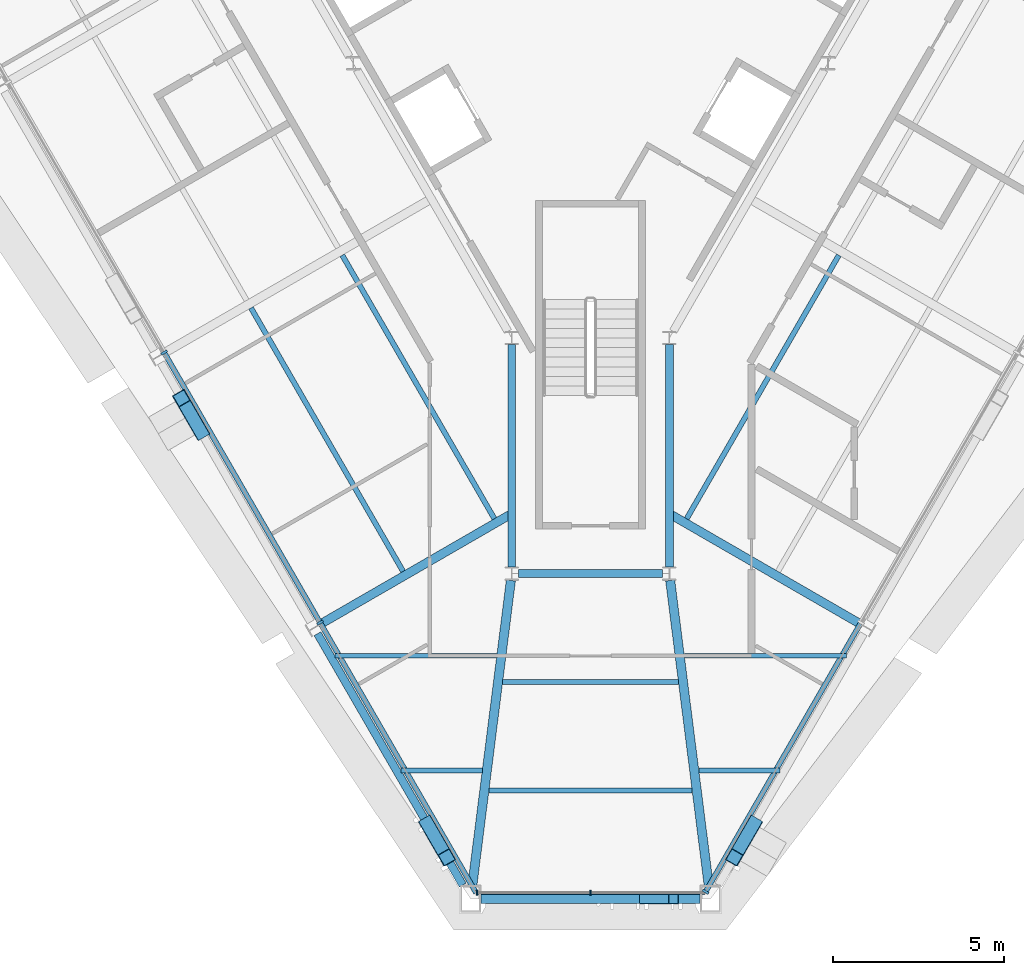
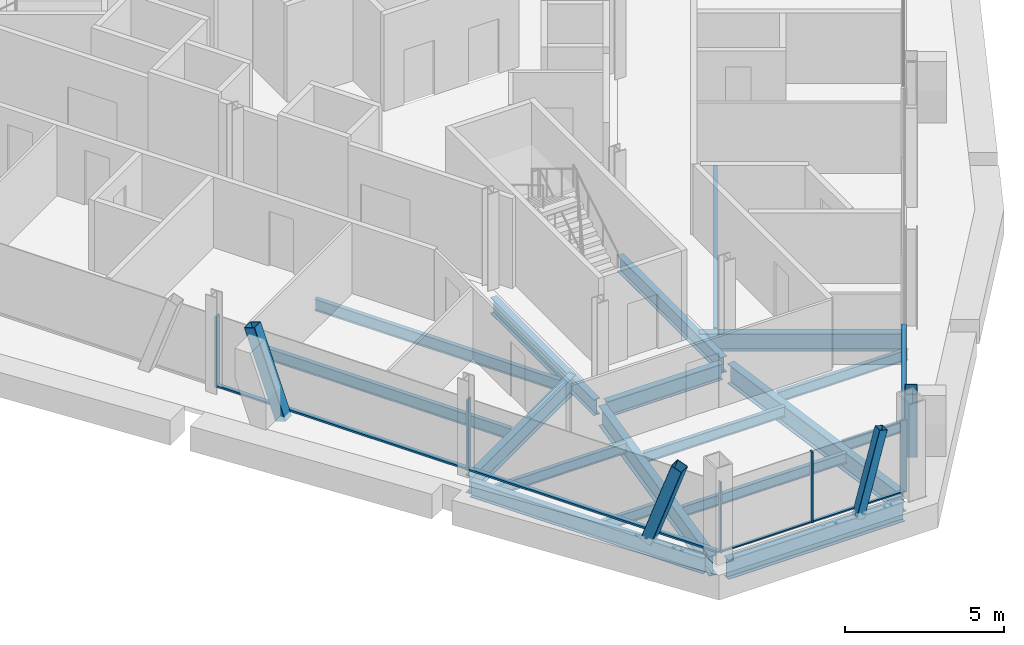
# One storey, part 3 of 15: 18 beams, 14 members, 3 elements without a shape of their own.
"""IFC4 building model written with IfcOpenShell, lengths in metres."""

from ifc_helpers import new_model, si_unit, direction, frame, origin, origin_2d, place, context, subcontext, project, spatial, rectangle, hollow_rectangle, i_section, extrude, material, material_profile, profile_set, type_object, element, aggregate, save


model = new_model("IFC4")

# Units and contexts
model_context = context("Model", 3, precision=1e-05, world=origin(), true_north=direction((0.0, 1.0)))
body_context = subcontext(model_context, "Body", "Model", "MODEL_VIEW")
ifc_project = project(units=[si_unit("LENGTHUNIT", "METRE"), si_unit("AREAUNIT", "SQUARE_METRE"), si_unit("VOLUMEUNIT", "CUBIC_METRE"), si_unit("PLANEANGLEUNIT", "RADIAN"), si_unit("MASSUNIT", "GRAM", prefix="KILO")], contexts=[model_context])

# Site, building, storey
site_placement = place(None, origin())
site = spatial("IfcSite", under=ifc_project, at=site_placement, CompositionType="ELEMENT")
building_placement = place(site_placement, origin())
building = spatial("IfcBuilding", under=site, at=building_placement, Name="Verrane Prism Tower", CompositionType="ELEMENT")
storey_placement = place(building_placement, frame((0.0, 0.0, 250.800048828125)))
storey = spatial("IfcBuildingStorey", under=building, at=storey_placement, Name="L63", CompositionType="ELEMENT", Elevation=250.800048828125)

# Member
ifc_material_1 = material(Name="Steel A500 Grade C", Category="steel")
ifc_material_profile_1 = material_profile(ifc_material_1, hollow_rectangle(XDim=0.3046875, YDim=0.3046875, WallThickness=0.0126953125, InnerFilletRadius=0.00634765625, OuterFilletRadius=0.01904296875, at=origin_2d()), Name="HSS12x12x1/2")
ifc_profile_set_1 = profile_set([ifc_material_profile_1], Name="Steel A500 Grade C")
member_type_1 = type_object("IfcMemberType", Name="Chamfer brace HSS12x12x1/2", PredefinedType="BRACE", material=ifc_profile_set_1)
member_1_placement = place(storey_placement, frame((1.580078125, -28.389892578125, -0.24267578125), z_axis=(0.26085172708, 0.0, 0.965378877167), x_axis=(0.0, 1.0, 0.0)))
element("IfcMember", 1, at=member_1_placement, inside=storey, type_object=member_type_1, Name="Chamfer brace S0 L63", PredefinedType="BRACE", context=body_context, shape_type="SweptSolid", body=[
    extrude(hollow_rectangle(XDim=0.3046875, YDim=0.3046875, WallThickness=0.0126953125, InnerFilletRadius=0.00634765625, OuterFilletRadius=0.01904296875, at=origin_2d()), origin(), (0.0, 0.0, 1.0), 3.2197265625),
])

# Beams
ifc_material_2 = material(Name="Steel A992", Category="steel")
ifc_material_profile_2 = material_profile(ifc_material_2, i_section(OverallWidth=0.2666015625, OverallDepth=0.7568359375, WebThickness=0.013916015625, FlangeThickness=0.019287109375, FilletRadius=0.0166015625, at=origin_2d()), Name="W30x108")
ifc_profile_set_2 = profile_set([ifc_material_profile_2], Name="Steel A992")
beam_type_1 = type_object("IfcBeamType", Name="Chamfer spandrel beam W30x108", PredefinedType="SPANDREL", material=ifc_profile_set_2)
beam_1_placement = place(storey_placement, frame((-3.199951171875, -28.389892578125, -0.53857421875), z_axis=(1.0, 0.0, 0.0), x_axis=(0.0, 1.0, 0.0)))
element("IfcBeam", 2, at=beam_1_placement, inside=storey, type_object=beam_type_1, Name="Chamfer spandrel beam L63", PredefinedType="SPANDREL", context=body_context, shape_type="SweptSolid", body=[
    extrude(i_section(OverallWidth=0.2666015625, OverallDepth=0.7568359375, WebThickness=0.013916015625, FlangeThickness=0.019287109375, FilletRadius=0.0166015625, at=origin_2d()), origin(), (0.0, 0.0, 1.0), 6.39990234375),
])
ifc_material_3 = material(Name="Steel A992", Category="steel")
ifc_material_profile_3 = material_profile(ifc_material_3, i_section(OverallWidth=0.23046875, OverallDepth=0.6171875, WebThickness=0.01318359375, FlangeThickness=0.022216796875, FilletRadius=0.012939453125, at=origin_2d()), Name="W24x94")
ifc_profile_set_3 = profile_set([ifc_material_profile_3], Name="Steel A992")
beam_type_2 = type_object("IfcBeamType", Name="Core ring girder W24x94", PredefinedType="BEAM", material=ifc_profile_set_3)
beam_2_placement = place(storey_placement, frame((-2.300048828125, -12.212890625, -0.55859375), z_axis=(0.0, -1.0, 0.0), x_axis=(1.0, 0.0, 0.0)))
element("IfcBeam", 3, at=beam_2_placement, inside=storey, type_object=beam_type_2, Name="Core ring girder L63", PredefinedType="BEAM", context=body_context, shape_type="SweptSolid", body=[
    extrude(i_section(OverallWidth=0.23046875, OverallDepth=0.6171875, WebThickness=0.01318359375, FlangeThickness=0.022216796875, FilletRadius=0.012939453125, at=origin_2d()), origin(), (0.0, 0.0, 1.0), 6.48779296875),
])
beam_3_placement = place(storey_placement, frame((-2.099365234375, -18.89990234375, -0.55859375), z_axis=(1.0, 0.0, 0.0), x_axis=(0.0, 1.0, 0.0)))
element("IfcBeam", 4, at=beam_3_placement, inside=storey, type_object=beam_type_2, Name="Core ring girder L63", PredefinedType="BEAM", context=body_context, shape_type="SweptSolid", body=[
    extrude(i_section(OverallWidth=0.23046875, OverallDepth=0.6171875, WebThickness=0.01318359375, FlangeThickness=0.022216796875, FilletRadius=0.012939453125, at=origin_2d()), origin(), (0.0, 0.0, 1.0), 4.19873046875),
])
beam_4_placement = place(storey_placement, frame((2.300048828125, -18.70068359375, -0.55859375), z_axis=(0.0, 1.0, 0.0), x_axis=(-1.0, 0.0, 0.0)))
element("IfcBeam", 5, at=beam_4_placement, inside=storey, type_object=beam_type_2, Name="Core ring girder L63", PredefinedType="BEAM", context=body_context, shape_type="SweptSolid", body=[
    extrude(i_section(OverallWidth=0.23046875, OverallDepth=0.6171875, WebThickness=0.01318359375, FlangeThickness=0.022216796875, FilletRadius=0.012939453125, at=origin_2d()), origin(), (0.0, 0.0, 1.0), 6.48779296875),
])
ifc_material_4 = material(Name="Steel A992", Category="steel")
ifc_material_profile_4 = material_profile(ifc_material_4, i_section(OverallWidth=0.2666015625, OverallDepth=0.76708984375, WebThickness=0.014892578125, FlangeThickness=0.023681640625, FilletRadius=0.0166015625, at=origin_2d()), Name="W30x124")
ifc_profile_set_4 = profile_set([ifc_material_profile_4], Name="Steel A992")
beam_type_3 = type_object("IfcBeamType", Name="Corner girder W30x124", PredefinedType="BEAM", material=ifc_profile_set_4)
for number, where, z_axis, x_axis, name in (
    (6, (-3.449462890625, -27.989990234375, -0.603515625), (0.125456298636, 0.992099146826, 0.0), (-0.992099146826, 0.125456298636, 0.0), "Corner girder L63"),
    (7, (3.449462890625, -27.989990234375, -0.603515625), (-0.125456298636, 0.992099146826, 0.0), (-0.992099146826, -0.125456298636, 0.0), "Corner girder L63"),
):
    element("IfcBeam", number, at=place(storey_placement, frame(where, z_axis=z_axis, x_axis=x_axis)), inside=storey, type_object=beam_type_3, Name=name, PredefinedType="BEAM", context=body_context, shape_type="SweptSolid", body=[
        extrude(i_section(OverallWidth=0.2666015625, OverallDepth=0.76708984375, WebThickness=0.014892578125, FlangeThickness=0.023681640625, FilletRadius=0.0166015625, at=origin_2d()), origin(), (0.0, 0.0, 1.0), 8.96142578125),
    ])

# Members
ifc_material_5 = material(Name="Steel A500 Grade C", Category="steel")
ifc_material_profile_5 = material_profile(ifc_material_5, hollow_rectangle(XDim=0.406494140625, YDim=0.406494140625, WallThickness=0.01904296875, InnerFilletRadius=0.009521484375, OuterFilletRadius=0.028564453125, at=origin_2d()), Name="HSS16x16x3/4")
ifc_profile_set_5 = profile_set([ifc_material_profile_5], Name="Steel A500 Grade C")
member_type_2 = type_object("IfcMemberType", Name="Facade brace HSS16x16x3/4", PredefinedType="BRACE", material=ifc_profile_set_5)
for number, where, z_axis, x_axis, name in (
    (8, (-11.378662109375, -14.753173828125, -0.216796875), (-0.16639448811, 0.288056951494, 0.943046163781), (-0.865915093549, -0.500191014278, 0.0), "Facade brace SW3 L63"),
    (9, (-4.76123046875, -26.206787109375, -0.216796875), (0.16639448811, -0.288056951494, 0.943046163781), (0.865915093549, 0.500191014278, 0.0), "Facade brace SW4 L63"),
    (10, (4.76123046875, -26.206787109375, -0.216796875), (-0.16639448811, -0.288056951494, 0.943046163781), (0.865915093549, -0.500191014278, 0.0), "Facade brace SE0 L63"),
):
    element("IfcMember", number, at=place(storey_placement, frame(where, z_axis=z_axis, x_axis=x_axis)), inside=storey, type_object=member_type_2, Name=name, PredefinedType="BRACE", context=body_context, shape_type="SweptSolid", body=[
        extrude(hollow_rectangle(XDim=0.406494140625, YDim=0.406494140625, WallThickness=0.01904296875, InnerFilletRadius=0.009521484375, OuterFilletRadius=0.028564453125, at=origin_2d()), origin(), (0.0, 0.0, 1.0), 3.389404296875),
    ])

# Beams
ifc_material_6 = material(Name="Steel A992", Category="steel")
ifc_material_profile_6 = material_profile(ifc_material_6, i_section(OverallWidth=0.140380859375, OverallDepth=0.40380859375, WebThickness=0.007080078125, FlangeThickness=0.01123046875, FilletRadius=0.01025390625, at=origin_2d()), Name="W16x31")
ifc_profile_set_6 = profile_set([ifc_material_profile_6], Name="Steel A992")
beam_type_4 = type_object("IfcBeamType", Name="Floor beam W16x31", PredefinedType="BEAM", material=ifc_profile_set_6)
beam_5_placement = place(storey_placement, frame((-5.53173828125, -24.643310546875, -0.362060546875), z_axis=(1.0, 0.0, 0.0), x_axis=(0.0, 1.0, 0.0)))
element("IfcBeam", 11, at=beam_5_placement, inside=storey, type_object=beam_type_4, Name="Floor beam L63", PredefinedType="BEAM", context=body_context, shape_type="SweptSolid", body=[
    extrude(i_section(OverallWidth=0.140380859375, OverallDepth=0.40380859375, WebThickness=0.007080078125, FlangeThickness=0.01123046875, FilletRadius=0.01025390625, at=origin_2d()), origin(), (0.0, 0.0, 1.0), 2.370849609375),
])
beam_6_placement = place(storey_placement, frame((-7.46533203125, -21.296630859375, -0.362060546875), z_axis=(1.0, 0.0, 0.0), x_axis=(0.0, 1.0, 0.0)))
element("IfcBeam", 12, at=beam_6_placement, inside=storey, type_object=beam_type_4, Name="Floor beam L63", PredefinedType="BEAM", context=body_context, shape_type="SweptSolid", body=[
    extrude(i_section(OverallWidth=0.140380859375, OverallDepth=0.40380859375, WebThickness=0.007080078125, FlangeThickness=0.01123046875, FilletRadius=0.01025390625, at=origin_2d()), origin(), (0.0, 0.0, 1.0), 4.727783203125),
])
beam_7_placement = place(storey_placement, frame((3.160888671875, -24.643310546875, -0.362060546875), z_axis=(1.0, 0.0, 0.0), x_axis=(0.0, 1.0, 0.0)))
element("IfcBeam", 13, at=beam_7_placement, inside=storey, type_object=beam_type_4, Name="Floor beam L63", PredefinedType="BEAM", context=body_context, shape_type="SweptSolid", body=[
    extrude(i_section(OverallWidth=0.140380859375, OverallDepth=0.40380859375, WebThickness=0.007080078125, FlangeThickness=0.01123046875, FilletRadius=0.01025390625, at=origin_2d()), origin(), (0.0, 0.0, 1.0), 2.370849609375),
])
beam_8_placement = place(storey_placement, frame((2.737548828125, -21.296630859375, -0.362060546875), z_axis=(1.0, 0.0, 0.0), x_axis=(0.0, 1.0, 0.0)))
element("IfcBeam", 14, at=beam_8_placement, inside=storey, type_object=beam_type_4, Name="Floor beam L63", PredefinedType="BEAM", context=body_context, shape_type="SweptSolid", body=[
    extrude(i_section(OverallWidth=0.140380859375, OverallDepth=0.40380859375, WebThickness=0.007080078125, FlangeThickness=0.01123046875, FilletRadius=0.01025390625, at=origin_2d()), origin(), (0.0, 0.0, 1.0), 4.727783203125),
])
beam_9_placement = place(storey_placement, frame((-2.96533203125, -25.226806640625, -0.362060546875), z_axis=(1.0, 0.0, 0.0), x_axis=(0.0, 1.0, 0.0)))
element("IfcBeam", 15, at=beam_9_placement, inside=storey, type_object=beam_type_4, Name="Floor beam L63", PredefinedType="BEAM", context=body_context, shape_type="SweptSolid", body=[
    extrude(i_section(OverallWidth=0.140380859375, OverallDepth=0.40380859375, WebThickness=0.007080078125, FlangeThickness=0.01123046875, FilletRadius=0.01025390625, at=origin_2d()), origin(), (0.0, 0.0, 1.0), 5.9306640625),
])
beam_10_placement = place(storey_placement, frame((-2.5654296875, -22.063232421875, -0.362060546875), z_axis=(1.0, 0.0, 0.0), x_axis=(0.0, 1.0, 0.0)))
element("IfcBeam", 16, at=beam_10_placement, inside=storey, type_object=beam_type_4, Name="Floor beam L63", PredefinedType="BEAM", context=body_context, shape_type="SweptSolid", body=[
    extrude(i_section(OverallWidth=0.140380859375, OverallDepth=0.40380859375, WebThickness=0.007080078125, FlangeThickness=0.01123046875, FilletRadius=0.01025390625, at=origin_2d()), origin(), (0.0, 0.0, 1.0), 5.130859375),
])
ifc_material_7 = material(Name="Steel A992", Category="steel")
ifc_material_profile_7 = material_profile(ifc_material_7, i_section(OverallWidth=0.15234375, OverallDepth=0.449462890625, WebThickness=0.007568359375, FlangeThickness=0.0107421875, FilletRadius=0.01025390625, at=origin_2d()), Name="W18x35")
ifc_profile_set_7 = profile_set([ifc_material_profile_7], Name="Steel A992")
beam_type_5 = type_object("IfcBeamType", Name="Floor beam W18x35", PredefinedType="BEAM", material=ifc_profile_set_7)
beam_11_placement = place(storey_placement, frame((-2.806640625, -17.295654296875, -0.384765625), z_axis=(-0.499997714797, 0.866026723143, 0.0), x_axis=(-0.866026723143, -0.499997714797, 0.0)))
element("IfcBeam", 17, at=beam_11_placement, inside=storey, type_object=beam_type_5, Name="Floor beam L63", PredefinedType="BEAM", context=body_context, shape_type="SweptSolid", body=[
    extrude(i_section(OverallWidth=0.15234375, OverallDepth=0.449462890625, WebThickness=0.007568359375, FlangeThickness=0.0107421875, FilletRadius=0.01025390625, at=origin_2d()), origin(), (0.0, 0.0, 1.0), 8.88037109375),
])
beam_12_placement = place(storey_placement, frame((-5.47119140625, -18.83349609375, -0.384765625), z_axis=(-0.50000642917, 0.866021691869, 0.0), x_axis=(-0.866021691869, -0.50000642917, 0.0)))
element("IfcBeam", 18, at=beam_12_placement, inside=storey, type_object=beam_type_5, Name="Floor beam L63", PredefinedType="BEAM", context=body_context, shape_type="SweptSolid", body=[
    extrude(i_section(OverallWidth=0.15234375, OverallDepth=0.449462890625, WebThickness=0.007568359375, FlangeThickness=0.0107421875, FilletRadius=0.01025390625, at=origin_2d()), origin(), (0.0, 0.0, 1.0), 8.880859375),
])
beam_13_placement = place(storey_placement, frame((2.806640625, -17.295654296875, -0.384765625), z_axis=(0.499997714797, 0.866026723143, 0.0), x_axis=(-0.866026723143, 0.499997714797, 0.0)))
element("IfcBeam", 19, at=beam_13_placement, inside=storey, type_object=beam_type_5, Name="Floor beam L63", PredefinedType="BEAM", context=body_context, shape_type="SweptSolid", body=[
    extrude(i_section(OverallWidth=0.15234375, OverallDepth=0.449462890625, WebThickness=0.007568359375, FlangeThickness=0.0107421875, FilletRadius=0.01025390625, at=origin_2d()), origin(), (0.0, 0.0, 1.0), 8.88037109375),
])

# Curtain wall, members
ifc_material_8 = material(Name="Aluminium framed insulated glazing", Category="aluminium")
curtain_wall_type_1 = type_object("IfcCurtainWallType", Name="Curtain wall CW-C 4200 module", PredefinedType="NOTDEFINED", material=ifc_material_8)
curtain_wall_1_placement = place(storey_placement, origin())
curtain_wall_1 = element("IfcCurtainWall", 20, at=curtain_wall_1_placement, inside=storey, type_object=curtain_wall_type_1, Name="Glazed curtain wall south corner L63", PredefinedType="NOTDEFINED")
ifc_material_9 = material(Name="Aluminium alloy 6063-T6", Category="aluminium")
ifc_material_profile_8 = material_profile(ifc_material_9, rectangle(XDim=0.139892578125, YDim=0.050048828125, at=origin_2d()), Name="Mullion 50x140 aluminium")
ifc_profile_set_8 = profile_set([ifc_material_profile_8], Name="Aluminium alloy 6063-T6")
member_type_3 = type_object("IfcMemberType", Name="Mullion 50x140 aluminium", PredefinedType="MULLION", material=ifc_profile_set_8)
member_2_placement = place(storey_placement, frame((-3.31689453125, -28.215087890625, 0.0), z_axis=(0.0, 0.0, 1.0), x_axis=(0.0, 1.0, 0.0)))
member_2 = element("IfcMember", 21, at=member_2_placement, type_object=member_type_3, Name="CW62.5 mullion 1", PredefinedType="MULLION", context=body_context, shape_type="SweptSolid", body=[
    extrude(rectangle(XDim=0.139892578125, YDim=0.050048828125, at=origin_2d()), origin(), (0.0, 0.0, 1.0), 2.712890625),
])
member_3_placement = place(storey_placement, frame((0.0, -28.215087890625, 0.0), z_axis=(0.0, 0.0, 1.0), x_axis=(0.0, 1.0, 0.0)))
member_3 = element("IfcMember", 22, at=member_3_placement, type_object=member_type_3, Name="CW62.5 mullion 2", PredefinedType="MULLION", context=body_context, shape_type="SweptSolid", body=[
    extrude(rectangle(XDim=0.139892578125, YDim=0.050048828125, at=origin_2d()), origin(), (0.0, 0.0, 1.0), 2.712890625),
])

ifc_material_10 = material(Name="Aluminium framed insulated glazing", Category="aluminium")
curtain_wall_type_2 = type_object("IfcCurtainWallType", Name="Curtain wall CW-A 8400 module", PredefinedType="NOTDEFINED", material=ifc_material_10)
curtain_wall_2_placement = place(storey_placement, origin())
curtain_wall_2 = element("IfcCurtainWall", 23, at=curtain_wall_2_placement, inside=storey, type_object=curtain_wall_type_2, Name="Glazed curtain wall south-west face L63", PredefinedType="NOTDEFINED")
ifc_material_11 = material(Name="Aluminium alloy 6063-T6", Category="aluminium")
ifc_material_profile_9 = material_profile(ifc_material_11, rectangle(XDim=0.199951171875, YDim=0.070068359375, at=origin_2d()), Name="Mullion 70x200 aluminium")
ifc_profile_set_9 = profile_set([ifc_material_profile_9], Name="Aluminium alloy 6063-T6")
member_type_4 = type_object("IfcMemberType", Name="Mullion 70x200 aluminium", PredefinedType="MULLION", material=ifc_profile_set_9)
member_4_placement = place(storey_placement, frame((-12.447509765625, -12.44384765625, 0.0), z_axis=(0.0, 0.0, 1.0), x_axis=(0.866025525748, 0.499999788753, 0.0)))
member_4 = element("IfcMember", 24, at=member_4_placement, type_object=member_type_4, Name="CW62.4 mullion 4", PredefinedType="MULLION", context=body_context, shape_type="SweptSolid", body=[
    extrude(rectangle(XDim=0.199951171875, YDim=0.070068359375, at=origin_2d()), origin(), (0.0, 0.0, 1.0), 2.712890625),
])
member_5_placement = place(storey_placement, frame((-7.894775390625, -20.32958984375, 0.0), z_axis=(0.0, 0.0, 1.0), x_axis=(0.866025525748, 0.499999788753, 0.0)))
member_5 = element("IfcMember", 25, at=member_5_placement, type_object=member_type_4, Name="CW62.4 mullion 5", PredefinedType="MULLION", context=body_context, shape_type="SweptSolid", body=[
    extrude(rectangle(XDim=0.199951171875, YDim=0.070068359375, at=origin_2d()), origin(), (0.0, 0.0, 1.0), 2.712890625),
])

# Curtain wall, member
curtain_wall_3_placement = place(storey_placement, origin())
curtain_wall_3 = element("IfcCurtainWall", 26, at=curtain_wall_3_placement, inside=storey, type_object=curtain_wall_type_2, Name="Glazed curtain wall south-east face L63", PredefinedType="NOTDEFINED")
member_6_placement = place(storey_placement, frame((3.359375, -28.184814453125, 0.0), z_axis=(0.0, 0.0, 1.0), x_axis=(-0.866025525748, 0.499999788753, 0.0)))
member_6 = element("IfcMember", 27, at=member_6_placement, type_object=member_type_4, Name="CW62.6 mullion 1", PredefinedType="MULLION", context=body_context, shape_type="SweptSolid", body=[
    extrude(rectangle(XDim=0.199951171875, YDim=0.070068359375, at=origin_2d()), origin(), (0.0, 0.0, 1.0), 2.712890625),
])

# Beams
ifc_material_12 = material(Name="Steel A992", Category="steel")
ifc_material_profile_10 = material_profile(ifc_material_12, i_section(OverallWidth=0.25390625, OverallDepth=0.683349609375, WebThickness=0.012451171875, FlangeThickness=0.01904296875, FilletRadius=0.01513671875, at=origin_2d()), Name="W27x94")
ifc_profile_set_10 = profile_set([ifc_material_profile_10], Name="Steel A992")
beam_type_6 = type_object("IfcBeamType", Name="Radial girder W27x94", PredefinedType="BEAM", material=ifc_profile_set_10)
for number, where, z_axis, x_axis, name in (
    (28, (-7.90283203125, -20.383544921875, -0.561767578125), (0.866019052629, 0.500011000363, 0.0), (-0.500011000363, 0.866019052629, 0.0), "Radial girder L63"),
    (29, (7.90283203125, -20.383544921875, -0.561767578125), (-0.866019052629, 0.500011000363, 0.0), (-0.500011000363, -0.866019052629, 0.0), "Radial girder L63"),
):
    element("IfcBeam", number, at=place(storey_placement, frame(where, z_axis=z_axis, x_axis=x_axis)), inside=storey, type_object=beam_type_6, Name=name, PredefinedType="BEAM", context=body_context, shape_type="SweptSolid", body=[
        extrude(i_section(OverallWidth=0.25390625, OverallDepth=0.683349609375, WebThickness=0.012451171875, FlangeThickness=0.01904296875, FilletRadius=0.01513671875, at=origin_2d()), origin(), (0.0, 0.0, 1.0), 6.469482421875),
    ])
ifc_material_13 = material(Name="Steel A992", Category="steel")
ifc_material_profile_11 = material_profile(ifc_material_13, i_section(OverallWidth=0.23046875, OverallDepth=0.6171875, WebThickness=0.01318359375, FlangeThickness=0.022216796875, FilletRadius=0.012939453125, at=origin_2d()), Name="W24x94")
ifc_profile_set_11 = profile_set([ifc_material_profile_11], Name="Steel A992")
beam_type_7 = type_object("IfcBeamType", Name="Spandrel beam W24x94", PredefinedType="SPANDREL", material=ifc_profile_set_11)
beam_14_placement = place(storey_placement, frame((-7.97021484375, -20.652587890625, -0.46875), z_axis=(0.500244477186, -0.865884208797, 0.0), x_axis=(0.865884208797, 0.500244477186, 0.0)))
element("IfcBeam", 30, at=beam_14_placement, inside=storey, type_object=beam_type_7, Name="Spandrel beam L63", PredefinedType="SPANDREL", context=body_context, shape_type="SweptSolid", body=[
    extrude(i_section(OverallWidth=0.23046875, OverallDepth=0.6171875, WebThickness=0.01318359375, FlangeThickness=0.022216796875, FilletRadius=0.012939453125, at=origin_2d()), origin(), (0.0, 0.0, 1.0), 8.473876953125),
])

# Member
ifc_material_14 = material(Name="Aluminium alloy 6063-T6", Category="aluminium")
ifc_material_profile_12 = material_profile(ifc_material_14, rectangle(XDim=0.10009765625, YDim=0.050048828125, at=origin_2d()), Name="Transom 50x100 aluminium")
ifc_profile_set_12 = profile_set([ifc_material_profile_12], Name="Aluminium alloy 6063-T6")
member_type_5 = type_object("IfcMemberType", Name="Transom 50x100 aluminium", PredefinedType="USERDEFINED", material=ifc_profile_set_12)
member_7_placement = place(storey_placement, frame((-3.2919921875, -28.215087890625, 0.02490234375), z_axis=(1.0, 0.0, 0.0), x_axis=(0.0, 1.0, 0.0)))
member_7 = element("IfcMember", 31, at=member_7_placement, type_object=member_type_5, Name="CW62.5 transom 1", ObjectType="TRANSOM", PredefinedType="USERDEFINED", context=body_context, shape_type="SweptSolid", body=[
    extrude(rectangle(XDim=0.10009765625, YDim=0.050048828125, at=origin_2d()), origin(), (0.0, 0.0, 1.0), 3.26708984375),
])

member_8_placement = place(storey_placement, frame((0.02490234375, -28.215087890625, 0.02490234375), z_axis=(1.0, 0.0, 0.0), x_axis=(0.0, 1.0, 0.0)))
member_8 = element("IfcMember", 32, at=member_8_placement, type_object=member_type_5, Name="CW62.5 transom 2", ObjectType="TRANSOM", PredefinedType="USERDEFINED", context=body_context, shape_type="SweptSolid", body=[
    extrude(rectangle(XDim=0.10009765625, YDim=0.050048828125, at=origin_2d()), origin(), (0.0, 0.0, 1.0), 3.31689453125),
])

aggregate(curtain_wall_1, [member_2, member_3, member_7, member_8])

ifc_material_15 = material(Name="Aluminium alloy 6063-T6", Category="aluminium")
ifc_material_profile_13 = material_profile(ifc_material_15, rectangle(XDim=0.14990234375, YDim=0.070068359375, at=origin_2d()), Name="Transom 70x150 aluminium")
ifc_profile_set_13 = profile_set([ifc_material_profile_13], Name="Aluminium alloy 6063-T6")
member_type_6 = type_object("IfcMemberType", Name="Transom 70x150 aluminium", PredefinedType="USERDEFINED", material=ifc_profile_set_13)
member_9_placement = place(storey_placement, frame((-12.429931640625, -12.47412109375, 0.034912109375), z_axis=(0.500007022283, -0.866021349429, 0.0), x_axis=(0.866021349429, 0.500007022283, 0.0)))
member_9 = element("IfcMember", 33, at=member_9_placement, type_object=member_type_6, Name="CW62.4 transom 4", ObjectType="TRANSOM", PredefinedType="USERDEFINED", context=body_context, shape_type="SweptSolid", body=[
    extrude(rectangle(XDim=0.14990234375, YDim=0.070068359375, at=origin_2d()), origin(), (0.0, 0.0, 1.0), 9.035400390625),
])

member_10_placement = place(storey_placement, frame((-7.877197265625, -20.35986328125, 0.034912109375), z_axis=(0.5000152428, -0.866016603171, 0.0), x_axis=(0.866016603171, 0.5000152428, 0.0)))
member_10 = element("IfcMember", 34, at=member_10_placement, type_object=member_type_6, Name="CW62.4 transom 5", ObjectType="TRANSOM", PredefinedType="USERDEFINED", context=body_context, shape_type="SweptSolid", body=[
    extrude(rectangle(XDim=0.14990234375, YDim=0.070068359375, at=origin_2d()), origin(), (0.0, 0.0, 1.0), 9.070556640625),
])

aggregate(curtain_wall_2, [member_4, member_5, member_9, member_10])

member_11_placement = place(storey_placement, frame((3.376953125, -28.154541015625, 0.034912109375), z_axis=(0.499998737774, 0.86602613253, 0.0), x_axis=(-0.86602613253, 0.499998737774, 0.0)))
member_11 = element("IfcMember", 35, at=member_11_placement, type_object=member_type_6, Name="CW62.6 transom 1", ObjectType="TRANSOM", PredefinedType="USERDEFINED", context=body_context, shape_type="SweptSolid", body=[
    extrude(rectangle(XDim=0.14990234375, YDim=0.070068359375, at=origin_2d()), origin(), (0.0, 0.0, 1.0), 9.00048828125),
])

aggregate(curtain_wall_3, [member_6, member_11])

save(model, "model.ifc")
